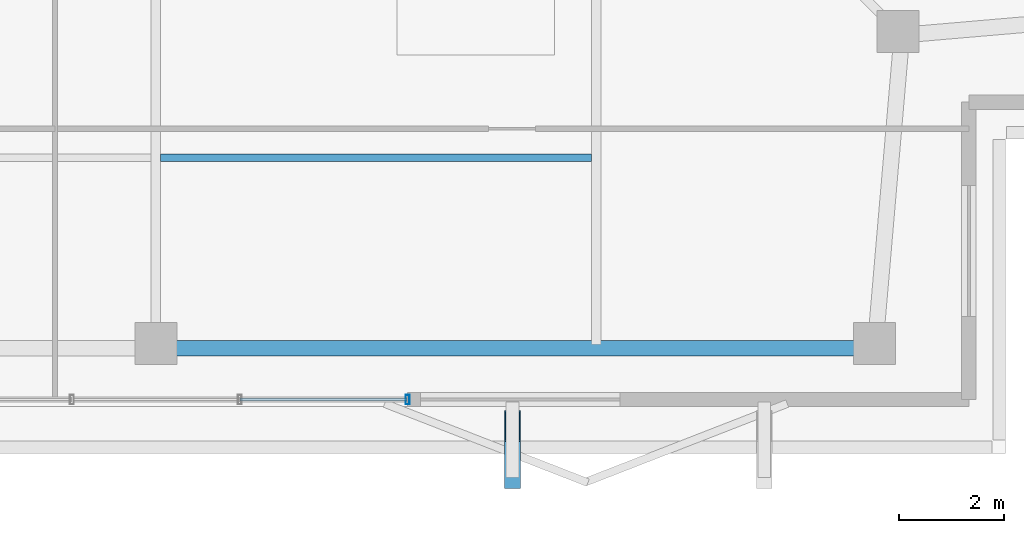
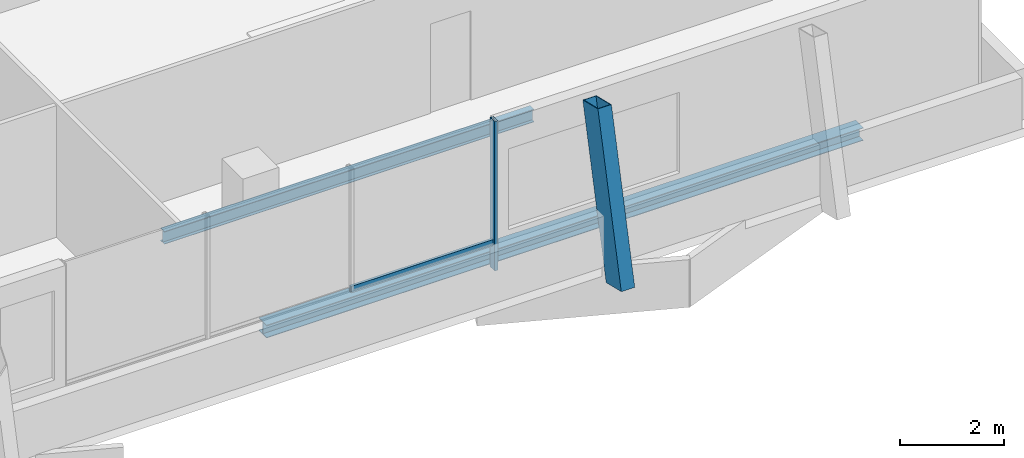
# One storey, part 3 of 18: 3 members, 2 beams, 1 element without a shape of its own.
"""IFC4 building model written with IfcOpenShell, lengths in metres."""

from ifc_helpers import new_model, si_unit, direction, frame, origin, origin_2d, place, context, subcontext, project, spatial, hollow_rectangle, i_section, extrude, material, layer, layer_set, material_profile, profile_set, type_object, element, aggregate, save


model = new_model("IFC4")

# Units and contexts
model_context = context("Model", 3, precision=1e-05, world=origin(), true_north=direction((0.0, 1.0)))
body_context = subcontext(model_context, "Body", "Model", "MODEL_VIEW")
ifc_project = project(units=[si_unit("LENGTHUNIT", "METRE"), si_unit("AREAUNIT", "SQUARE_METRE"), si_unit("VOLUMEUNIT", "CUBIC_METRE"), si_unit("PLANEANGLEUNIT", "RADIAN"), si_unit("MASSUNIT", "GRAM", prefix="KILO")], contexts=[model_context])

# Site, building, storey
site_placement = place(None, origin())
site = spatial("IfcSite", under=ifc_project, at=site_placement, CompositionType="ELEMENT")
building_placement = place(site_placement, origin())
building = spatial("IfcBuilding", under=site, at=building_placement, Name="Belovzor Exchange Tower", CompositionType="ELEMENT")
storey_placement = place(building_placement, frame((0.0, 0.0, 344.25)))
storey = spatial("IfcBuildingStorey", under=building, at=storey_placement, Name="L86", CompositionType="ELEMENT", Elevation=344.25)

# Beam
ifc_material_1 = material(Name="Steel S355", Category="steel")
ifc_material_profile_1 = material_profile(ifc_material_1, i_section(OverallWidth=0.14990234375, OverallDepth=0.300048828125, WebThickness=0.007080078125, FlangeThickness=0.0107421875, at=origin_2d()))
ifc_profile_set_1 = profile_set([ifc_material_profile_1], Name="Steel S355")
beam_type_1 = type_object("IfcBeamType", Name="Secondary Trim Floor Joist IPE 300", PredefinedType="BEAM", material=ifc_profile_set_1)
beam_1_placement = place(storey_placement, frame((28.889892578125, 12.239013671875, -0.389892578125), z_axis=(1.0, 0.0, 0.0), x_axis=(0.0, 1.0, 0.0)))
element("IfcBeam", 1, at=beam_1_placement, inside=storey, type_object=beam_type_1, Name="FJ-300 Secondary Trim Floor Joist IPE 300", PredefinedType="BEAM", context=body_context, shape_type="SweptSolid", body=[
    extrude(i_section(OverallWidth=0.14990234375, OverallDepth=0.300048828125, WebThickness=0.007080078125, FlangeThickness=0.0107421875, at=origin_2d()), origin(), (0.0, 0.0, 1.0), 8.22021484375),
])

# Curtain wall, members
ifc_material_2 = material(Name="Anodised Aluminium Framing", Category="aluminium")
ifc_layer = layer(ifc_material_2, 0.179931640625)
ifc_layer_set = layer_set([ifc_layer], Name="Anodised Aluminium Framing")
curtain_wall_type = type_object("IfcCurtainWallType", Name="Recessed Loggia Low-Iron Triple-Glazed Curtain Wall", PredefinedType="NOTDEFINED", material=ifc_layer_set)
curtain_wall_placement = place(storey_placement, origin())
curtain_wall = element("IfcCurtainWall", 2, at=curtain_wall_placement, inside=storey, type_object=curtain_wall_type, Name="CW3 Recessed Loggia Low-Iron Triple-Glazed Curtain Wall L86", PredefinedType="NOTDEFINED")
ifc_material_3 = material(Name="Steel S355", Category="steel")
ifc_material_profile_2 = material_profile(ifc_material_3, hollow_rectangle(XDim=0.074951171875, YDim=0.179931640625, WallThickness=0.0048828125, at=origin_2d()))
ifc_profile_set_2 = profile_set([ifc_material_profile_2], Name="Steel S355")
member_type_1 = type_object("IfcMemberType", Name="Thermally Broken Curtain Wall Mullion 180x75", PredefinedType="MULLION", material=ifc_profile_set_2)
member_1_placement = place(storey_placement, frame((33.60009765625, 7.6298828125, 0.0), z_axis=(0.0, 0.0, 1.0), x_axis=(-1.0, 0.0, 0.0)))
member_1 = element("IfcMember", 3, at=member_1_placement, type_object=member_type_1, Name="CW-M180 Curtain Wall Mullion 1", PredefinedType="MULLION", context=body_context, shape_type="SweptSolid", body=[
    extrude(hollow_rectangle(XDim=0.074951171875, YDim=0.179931640625, WallThickness=0.0048828125, at=origin_2d()), origin(), (0.0, 0.0, 1.0), 3.510009765625),
])
ifc_material_4 = material(Name="Steel S355", Category="steel")
ifc_material_profile_3 = material_profile(ifc_material_4, hollow_rectangle(XDim=0.06005859375, YDim=0.14990234375, WallThickness=0.00390625, at=origin_2d()))
ifc_profile_set_3 = profile_set([ifc_material_profile_3], Name="Steel S355")
member_type_2 = type_object("IfcMemberType", Name="Thermally Broken Curtain Wall Transom 150x60", PredefinedType="USERDEFINED", material=ifc_profile_set_3)
member_2_placement = place(storey_placement, frame((33.592041015625, 7.6298828125, 0.632080078125), z_axis=(-1.0, 0.0, 0.0), x_axis=(0.0, -1.0, 0.0)))
member_2 = element("IfcMember", 4, at=member_2_placement, type_object=member_type_2, Name="CW-T150 Curtain Wall Transom 1", ObjectType="TRANSOM", PredefinedType="USERDEFINED", context=body_context, shape_type="SweptSolid", body=[
    extrude(hollow_rectangle(XDim=0.06005859375, YDim=0.14990234375, WallThickness=0.00390625, at=origin_2d()), origin(), (0.0, 0.0, 1.0), 3.18408203125),
])
aggregate(curtain_wall, [member_1, member_2])

# Member
ifc_material_5 = material(Name="Extruded Architectural Terracotta on Steel S355 Carrier", Category="masonry")
ifc_material_profile_4 = material_profile(ifc_material_5, hollow_rectangle(XDim=0.300048828125, YDim=0.60009765625, WallThickness=0.01611328125, at=origin_2d()))
ifc_profile_set_4 = profile_set([ifc_material_profile_4], Name="Extruded Architectural Terracotta on Steel S355 Carrier")
member_type_3 = type_object("IfcMemberType", Name="Upper Crown Terracotta Fin Assembly 550", PredefinedType="USERDEFINED", material=ifc_profile_set_4)
member_3_placement = place(storey_placement, frame((35.60009765625, 6.22509765625, -0.239990234375), z_axis=(0.0, 0.233349008819, 0.972393048146), x_axis=(-1.0, 0.0, 0.0)))
element("IfcMember", 5, at=member_3_placement, inside=storey, type_object=member_type_3, Name="FIN-TC055 Terracotta Facade Fin L86 S3", ObjectType="FIN", PredefinedType="USERDEFINED", context=body_context, shape_type="SweptSolid", body=[
    extrude(hollow_rectangle(XDim=0.300048828125, YDim=0.60009765625, WallThickness=0.01611328125, at=origin_2d()), origin(), (0.0, 0.0, 1.0), 3.8564453125),
])

# Beam
ifc_material_6 = material(Name="Steel S355", Category="steel")
ifc_material_profile_5 = material_profile(ifc_material_6, i_section(OverallWidth=0.300048828125, OverallDepth=0.300048828125, WebThickness=0.008544921875, FlangeThickness=0.013916015625, at=origin_2d()))
ifc_profile_set_5 = profile_set([ifc_material_profile_5], Name="Steel S355")
beam_type_2 = type_object("IfcBeamType", Name="Zone 6 Primary Girder HEA 300", PredefinedType="BEAM", material=ifc_profile_set_5)
beam_2_placement = place(storey_placement, frame((29.02001953125, 8.60595703125, -0.389892578125), z_axis=(1.0, 0.0, 0.0), x_axis=(0.0, 1.0, 0.0)))
element("IfcBeam", 6, at=beam_2_placement, inside=storey, type_object=beam_type_2, Name="FG-Z6 Zone 6 Primary Girder HEA 300", PredefinedType="BEAM", context=body_context, shape_type="SweptSolid", body=[
    extrude(i_section(OverallWidth=0.300048828125, OverallDepth=0.300048828125, WebThickness=0.008544921875, FlangeThickness=0.013916015625, at=origin_2d()), origin(), (0.0, 0.0, 1.0), 13.27001953125),
])

save(model, "model.ifc")
